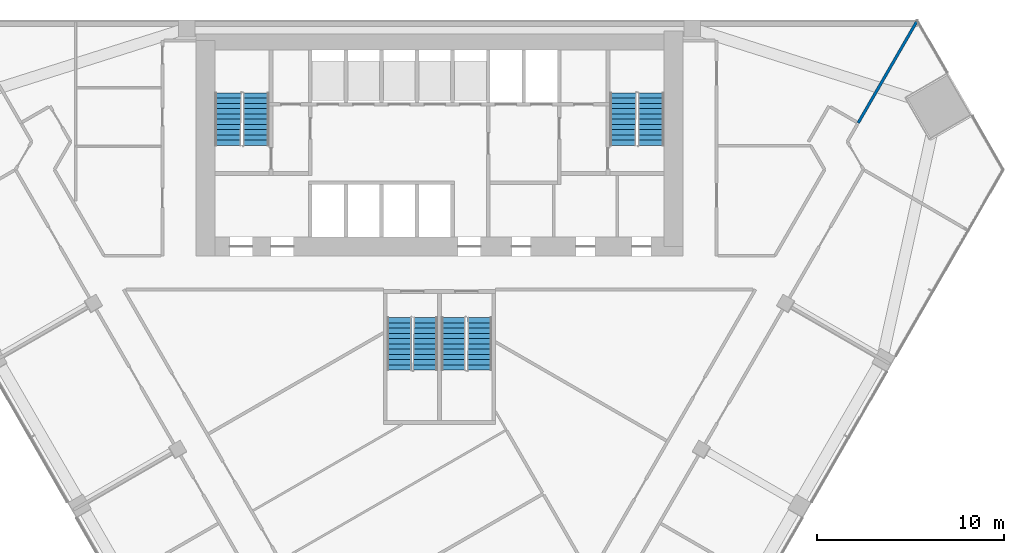
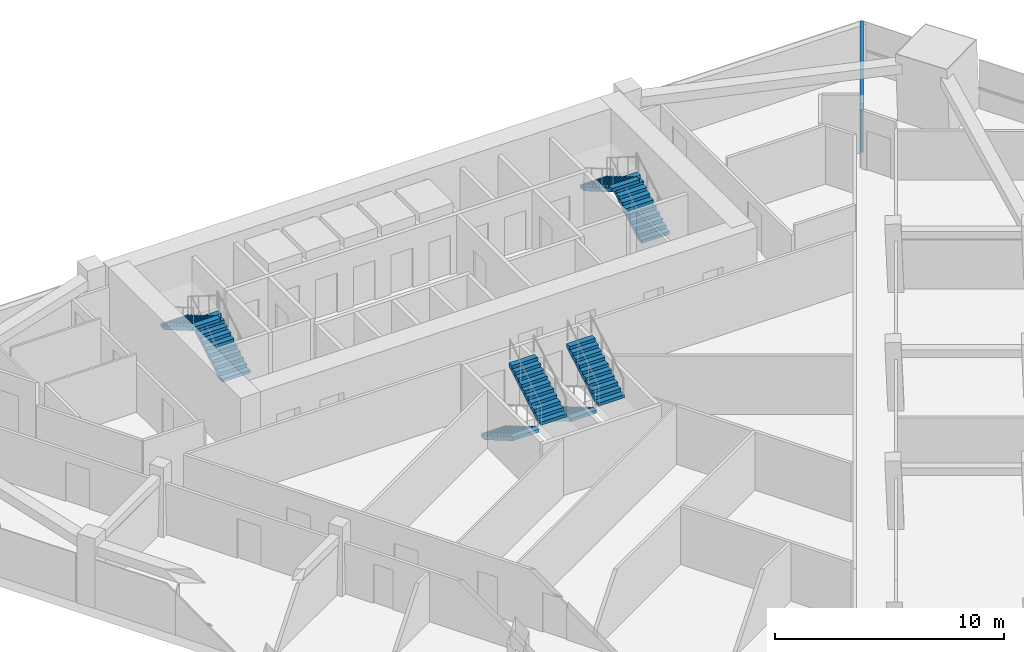
# One storey, part 12 of 14: 8 stair flights, 1 wall, 4 elements without a shape of their own.
"""IFC4 building model written with IfcOpenShell, lengths in metres."""

from ifc_helpers import new_model, si_unit, direction, frame, frame_2d, origin, place, context, subcontext, project, spatial, polyline, rectangle, outline, extrude, material, layer, layer_set, type_object, element, aggregate, save


model = new_model("IFC4")

# Units and contexts
model_context = context("Model", 3, precision=1e-05, world=origin(), true_north=direction((0.0, 1.0)))
body_context = subcontext(model_context, "Body", "Model", "MODEL_VIEW")
ifc_project = project(units=[si_unit("LENGTHUNIT", "METRE"), si_unit("AREAUNIT", "SQUARE_METRE"), si_unit("VOLUMEUNIT", "CUBIC_METRE"), si_unit("PLANEANGLEUNIT", "RADIAN"), si_unit("MASSUNIT", "GRAM", prefix="KILO")], contexts=[model_context])

# Site, building, storey
site_placement = place(None, origin())
site = spatial("IfcSite", under=ifc_project, at=site_placement, CompositionType="ELEMENT")
building_placement = place(site_placement, origin())
building = spatial("IfcBuilding", under=site, at=building_placement, Name="Altiplano Prism Tower", CompositionType="ELEMENT")
storey_placement = place(building_placement, frame((0.0, 0.0, 63.0)))
storey = spatial("IfcBuildingStorey", under=building, at=storey_placement, Name="L15", CompositionType="ELEMENT", Elevation=63.0)

# Wall
ifc_material_1 = material(Name="Plasterboard on steel stud", Category="steel")
ifc_layer = layer(ifc_material_1, 0.14990234375)
ifc_layer_set = layer_set([ifc_layer], Name="Plasterboard on steel stud")
wall_type = type_object("IfcWallType", Name="Partition 150 party", PredefinedType="PARTITIONING", material=ifc_layer_set)
wall_placement = place(storey_placement, frame((110.4853515625, 104.89990234375, 0.0), z_axis=(0.0, 0.0, 1.0), x_axis=(-0.500034261589, -0.866005621943, 0.0)))
element("IfcWall", 1, at=wall_placement, inside=storey, type_object=wall_type, Name="Partition P01 L15 042", PredefinedType="PARTITIONING", context=body_context, shape_type="SweptSolid", body=[
    extrude(rectangle(XDim=6.2353515625, YDim=0.14990234375, at=frame_2d((3.11767578125, 0.0))), origin(), (0.0, 0.0, 1.0), 2.60009765625),
])

# Stair, stair flights
ifc_material_2 = material(Name="Concrete C40/50", Category="concrete")
stair_type_1 = type_object("IfcStairType", Name="Exit stair 1400", PredefinedType="HALF_TURN_STAIR", material=ifc_material_2)
stair_1_placement = place(storey_placement, origin())
stair_1 = element("IfcStair", 2, at=stair_1_placement, inside=storey, type_object=stair_type_1, Name="L15 Exit Stair 1", PredefinedType="HALF_TURN_STAIR")
stair_flight_type = type_object("IfcStairFlightType", Name="Stair flight concrete 150", PredefinedType="STRAIGHT", material=ifc_material_2)
stair_flight_1_placement = place(storey_placement, frame((75.199951171875, 98.300048828125, 0.0), z_axis=(0.0, 0.0, 1.0), x_axis=(0.0, 1.0, 0.0)))
stair_flight_1 = element("IfcStairFlight", 3, at=stair_flight_1_placement, type_object=stair_flight_type, Name="ST1 flight 1", NumberOfRisers=11, NumberOfTreads=10, PredefinedType="STRAIGHT", RiserHeight=0.163636364, TreadLength=0.28, context=body_context, shape_type="SweptSolid", body=[
    extrude(outline(polyline([(0.0, 0.0), (0.0, 0.16357421875), (0.280029296875, 0.16357421875), (0.280029296875, 0.327392578125), (0.56005859375, 0.327392578125), (0.56005859375, 0.490966796875), (0.840087890625, 0.490966796875), (0.840087890625, 0.654541015625), (1.1201171875, 0.654541015625), (1.1201171875, 0.818115234375), (1.39990234375, 0.818115234375), (1.39990234375, 0.98193359375), (1.679931640625, 0.98193359375), (1.679931640625, 1.1455078125), (1.9599609375, 1.1455078125), (1.9599609375, 1.30908203125), (2.239990234375, 1.30908203125), (2.239990234375, 1.47265625), (2.52001953125, 1.47265625), (2.52001953125, 1.636474609375), (2.800048828125, 1.636474609375), (2.800048828125, 1.800048828125), (2.800048828125, 1.462646484375), (0.297119140625, 0.0), (0.0, 0.0)])), frame((0.0, 0.699951171875, 0.0), z_axis=(0.0, -1.0, 0.0), x_axis=(1.0, 0.0, 0.0)), (0.0, 0.0, 1.0), 1.39990234375),
])
stair_flight_2_placement = place(storey_placement, frame((73.699951171875, 101.10009765625, 1.800048828125), z_axis=(0.0, 0.0, 1.0), x_axis=(0.0, -1.0, 0.0)))
stair_flight_2 = element("IfcStairFlight", 4, at=stair_flight_2_placement, type_object=stair_flight_type, Name="ST1 flight 2", NumberOfRisers=11, NumberOfTreads=10, PredefinedType="STRAIGHT", RiserHeight=0.163636364, TreadLength=0.28, context=body_context, shape_type="SweptSolid", body=[
    extrude(outline(polyline([(0.0, 0.0), (0.0, 0.16357421875), (0.280029296875, 0.16357421875), (0.280029296875, 0.327392578125), (0.56005859375, 0.327392578125), (0.56005859375, 0.490966796875), (0.840087890625, 0.490966796875), (0.840087890625, 0.654541015625), (1.1201171875, 0.654541015625), (1.1201171875, 0.818115234375), (1.39990234375, 0.818115234375), (1.39990234375, 0.98193359375), (1.679931640625, 0.98193359375), (1.679931640625, 1.1455078125), (1.9599609375, 1.1455078125), (1.9599609375, 1.30908203125), (2.239990234375, 1.30908203125), (2.239990234375, 1.47265625), (2.52001953125, 1.47265625), (2.52001953125, 1.636474609375), (2.800048828125, 1.636474609375), (2.800048828125, 1.800048828125), (2.800048828125, 1.462646484375), (0.297119140625, 0.0), (0.0, 0.0)])), frame((0.0, 0.699951171875, 0.0), z_axis=(0.0, -1.0, 0.0), x_axis=(1.0, 0.0, 0.0)), (0.0, 0.0, 1.0), 1.39990234375),
])
aggregate(stair_1, [stair_flight_1, stair_flight_2])

stair_2_placement = place(storey_placement, origin())
stair_2 = element("IfcStair", 5, at=stair_2_placement, inside=storey, type_object=stair_type_1, Name="L15 Exit Stair 2", PredefinedType="HALF_TURN_STAIR")
stair_flight_3_placement = place(storey_placement, frame((96.300048828125, 98.300048828125, 0.0), z_axis=(0.0, 0.0, 1.0), x_axis=(0.0, 1.0, 0.0)))
stair_flight_3 = element("IfcStairFlight", 6, at=stair_flight_3_placement, type_object=stair_flight_type, Name="ST2 flight 1", NumberOfRisers=11, NumberOfTreads=10, PredefinedType="STRAIGHT", RiserHeight=0.163636364, TreadLength=0.28, context=body_context, shape_type="SweptSolid", body=[
    extrude(outline(polyline([(0.0, 0.0), (0.0, 0.16357421875), (0.280029296875, 0.16357421875), (0.280029296875, 0.327392578125), (0.56005859375, 0.327392578125), (0.56005859375, 0.490966796875), (0.840087890625, 0.490966796875), (0.840087890625, 0.654541015625), (1.1201171875, 0.654541015625), (1.1201171875, 0.818115234375), (1.39990234375, 0.818115234375), (1.39990234375, 0.98193359375), (1.679931640625, 0.98193359375), (1.679931640625, 1.1455078125), (1.9599609375, 1.1455078125), (1.9599609375, 1.30908203125), (2.239990234375, 1.30908203125), (2.239990234375, 1.47265625), (2.52001953125, 1.47265625), (2.52001953125, 1.636474609375), (2.800048828125, 1.636474609375), (2.800048828125, 1.800048828125), (2.800048828125, 1.462646484375), (0.297119140625, 0.0), (0.0, 0.0)])), frame((0.0, 0.699951171875, 0.0), z_axis=(0.0, -1.0, 0.0), x_axis=(1.0, 0.0, 0.0)), (0.0, 0.0, 1.0), 1.39990234375),
])
stair_flight_4_placement = place(storey_placement, frame((94.800048828125, 101.10009765625, 1.800048828125), z_axis=(0.0, 0.0, 1.0), x_axis=(0.0, -1.0, 0.0)))
stair_flight_4 = element("IfcStairFlight", 7, at=stair_flight_4_placement, type_object=stair_flight_type, Name="ST2 flight 2", NumberOfRisers=11, NumberOfTreads=10, PredefinedType="STRAIGHT", RiserHeight=0.163636364, TreadLength=0.28, context=body_context, shape_type="SweptSolid", body=[
    extrude(outline(polyline([(0.0, 0.0), (0.0, 0.16357421875), (0.280029296875, 0.16357421875), (0.280029296875, 0.327392578125), (0.56005859375, 0.327392578125), (0.56005859375, 0.490966796875), (0.840087890625, 0.490966796875), (0.840087890625, 0.654541015625), (1.1201171875, 0.654541015625), (1.1201171875, 0.818115234375), (1.39990234375, 0.818115234375), (1.39990234375, 0.98193359375), (1.679931640625, 0.98193359375), (1.679931640625, 1.1455078125), (1.9599609375, 1.1455078125), (1.9599609375, 1.30908203125), (2.239990234375, 1.30908203125), (2.239990234375, 1.47265625), (2.52001953125, 1.47265625), (2.52001953125, 1.636474609375), (2.800048828125, 1.636474609375), (2.800048828125, 1.800048828125), (2.800048828125, 1.462646484375), (0.297119140625, 0.0), (0.0, 0.0)])), frame((0.0, 0.699951171875, 0.0), z_axis=(0.0, -1.0, 0.0), x_axis=(1.0, 0.0, 0.0)), (0.0, 0.0, 1.0), 1.39990234375),
])
aggregate(stair_2, [stair_flight_3, stair_flight_4])

stair_type_2 = type_object("IfcStairType", Name="Exit stair 1300", PredefinedType="HALF_TURN_STAIR", material=ifc_material_2)
stair_3_placement = place(storey_placement, origin())
stair_3 = element("IfcStair", 8, at=stair_3_placement, inside=storey, type_object=stair_type_2, Name="L15 Exit Stair 3A", PredefinedType="HALF_TURN_STAIR")
stair_flight_5_placement = place(storey_placement, frame((82.85009765625, 89.10009765625, 0.0), z_axis=(0.0, 0.0, 1.0), x_axis=(0.0, -1.0, 0.0)))
stair_flight_5 = element("IfcStairFlight", 9, at=stair_flight_5_placement, type_object=stair_flight_type, Name="ST3A flight 1", NumberOfRisers=11, NumberOfTreads=10, PredefinedType="STRAIGHT", RiserHeight=0.163636364, TreadLength=0.28, context=body_context, shape_type="SweptSolid", body=[
    extrude(outline(polyline([(0.0, 0.0), (0.0, 0.16357421875), (0.280029296875, 0.16357421875), (0.280029296875, 0.327392578125), (0.56005859375, 0.327392578125), (0.56005859375, 0.490966796875), (0.840087890625, 0.490966796875), (0.840087890625, 0.654541015625), (1.1201171875, 0.654541015625), (1.1201171875, 0.818115234375), (1.39990234375, 0.818115234375), (1.39990234375, 0.98193359375), (1.679931640625, 0.98193359375), (1.679931640625, 1.1455078125), (1.9599609375, 1.1455078125), (1.9599609375, 1.30908203125), (2.239990234375, 1.30908203125), (2.239990234375, 1.47265625), (2.52001953125, 1.47265625), (2.52001953125, 1.636474609375), (2.800048828125, 1.636474609375), (2.800048828125, 1.800048828125), (2.800048828125, 1.462646484375), (0.297119140625, 0.0), (0.0, 0.0)])), frame((0.0, 0.64990234375, 0.0), z_axis=(0.0, -1.0, 0.0), x_axis=(1.0, 0.0, 0.0)), (0.0, 0.0, 1.0), 1.300048828125),
])
stair_flight_6_placement = place(storey_placement, frame((84.25, 86.300048828125, 1.800048828125), z_axis=(0.0, 0.0, 1.0), x_axis=(0.0, 1.0, 0.0)))
stair_flight_6 = element("IfcStairFlight", 10, at=stair_flight_6_placement, type_object=stair_flight_type, Name="ST3A flight 2", NumberOfRisers=11, NumberOfTreads=10, PredefinedType="STRAIGHT", RiserHeight=0.163636364, TreadLength=0.28, context=body_context, shape_type="SweptSolid", body=[
    extrude(outline(polyline([(0.0, 0.0), (0.0, 0.16357421875), (0.280029296875, 0.16357421875), (0.280029296875, 0.327392578125), (0.56005859375, 0.327392578125), (0.56005859375, 0.490966796875), (0.840087890625, 0.490966796875), (0.840087890625, 0.654541015625), (1.1201171875, 0.654541015625), (1.1201171875, 0.818115234375), (1.39990234375, 0.818115234375), (1.39990234375, 0.98193359375), (1.679931640625, 0.98193359375), (1.679931640625, 1.1455078125), (1.9599609375, 1.1455078125), (1.9599609375, 1.30908203125), (2.239990234375, 1.30908203125), (2.239990234375, 1.47265625), (2.52001953125, 1.47265625), (2.52001953125, 1.636474609375), (2.800048828125, 1.636474609375), (2.800048828125, 1.800048828125), (2.800048828125, 1.462646484375), (0.297119140625, 0.0), (0.0, 0.0)])), frame((0.0, 0.64990234375, 0.0), z_axis=(0.0, -1.0, 0.0), x_axis=(1.0, 0.0, 0.0)), (0.0, 0.0, 1.0), 1.300048828125),
])
aggregate(stair_3, [stair_flight_5, stair_flight_6])

stair_4_placement = place(storey_placement, origin())
stair_4 = element("IfcStair", 11, at=stair_4_placement, inside=storey, type_object=stair_type_2, Name="L15 Exit Stair 3B", PredefinedType="HALF_TURN_STAIR")
stair_flight_7_placement = place(storey_placement, frame((85.75, 89.10009765625, 0.0), z_axis=(0.0, 0.0, 1.0), x_axis=(0.0, -1.0, 0.0)))
stair_flight_7 = element("IfcStairFlight", 12, at=stair_flight_7_placement, type_object=stair_flight_type, Name="ST3B flight 1", NumberOfRisers=11, NumberOfTreads=10, PredefinedType="STRAIGHT", RiserHeight=0.163636364, TreadLength=0.28, context=body_context, shape_type="SweptSolid", body=[
    extrude(outline(polyline([(0.0, 0.0), (0.0, 0.16357421875), (0.280029296875, 0.16357421875), (0.280029296875, 0.327392578125), (0.56005859375, 0.327392578125), (0.56005859375, 0.490966796875), (0.840087890625, 0.490966796875), (0.840087890625, 0.654541015625), (1.1201171875, 0.654541015625), (1.1201171875, 0.818115234375), (1.39990234375, 0.818115234375), (1.39990234375, 0.98193359375), (1.679931640625, 0.98193359375), (1.679931640625, 1.1455078125), (1.9599609375, 1.1455078125), (1.9599609375, 1.30908203125), (2.239990234375, 1.30908203125), (2.239990234375, 1.47265625), (2.52001953125, 1.47265625), (2.52001953125, 1.636474609375), (2.800048828125, 1.636474609375), (2.800048828125, 1.800048828125), (2.800048828125, 1.462646484375), (0.297119140625, 0.0), (0.0, 0.0)])), frame((0.0, 0.64990234375, 0.0), z_axis=(0.0, -1.0, 0.0), x_axis=(1.0, 0.0, 0.0)), (0.0, 0.0, 1.0), 1.300048828125),
])
stair_flight_8_placement = place(storey_placement, frame((87.14990234375, 86.300048828125, 1.800048828125), z_axis=(0.0, 0.0, 1.0), x_axis=(0.0, 1.0, 0.0)))
stair_flight_8 = element("IfcStairFlight", 13, at=stair_flight_8_placement, type_object=stair_flight_type, Name="ST3B flight 2", NumberOfRisers=11, NumberOfTreads=10, PredefinedType="STRAIGHT", RiserHeight=0.163636364, TreadLength=0.28, context=body_context, shape_type="SweptSolid", body=[
    extrude(outline(polyline([(0.0, 0.0), (0.0, 0.16357421875), (0.280029296875, 0.16357421875), (0.280029296875, 0.327392578125), (0.56005859375, 0.327392578125), (0.56005859375, 0.490966796875), (0.840087890625, 0.490966796875), (0.840087890625, 0.654541015625), (1.1201171875, 0.654541015625), (1.1201171875, 0.818115234375), (1.39990234375, 0.818115234375), (1.39990234375, 0.98193359375), (1.679931640625, 0.98193359375), (1.679931640625, 1.1455078125), (1.9599609375, 1.1455078125), (1.9599609375, 1.30908203125), (2.239990234375, 1.30908203125), (2.239990234375, 1.47265625), (2.52001953125, 1.47265625), (2.52001953125, 1.636474609375), (2.800048828125, 1.636474609375), (2.800048828125, 1.800048828125), (2.800048828125, 1.462646484375), (0.297119140625, 0.0), (0.0, 0.0)])), frame((0.0, 0.64990234375, 0.0), z_axis=(0.0, -1.0, 0.0), x_axis=(1.0, 0.0, 0.0)), (0.0, 0.0, 1.0), 1.300048828125),
])
aggregate(stair_4, [stair_flight_7, stair_flight_8])

save(model, "model.ifc")
